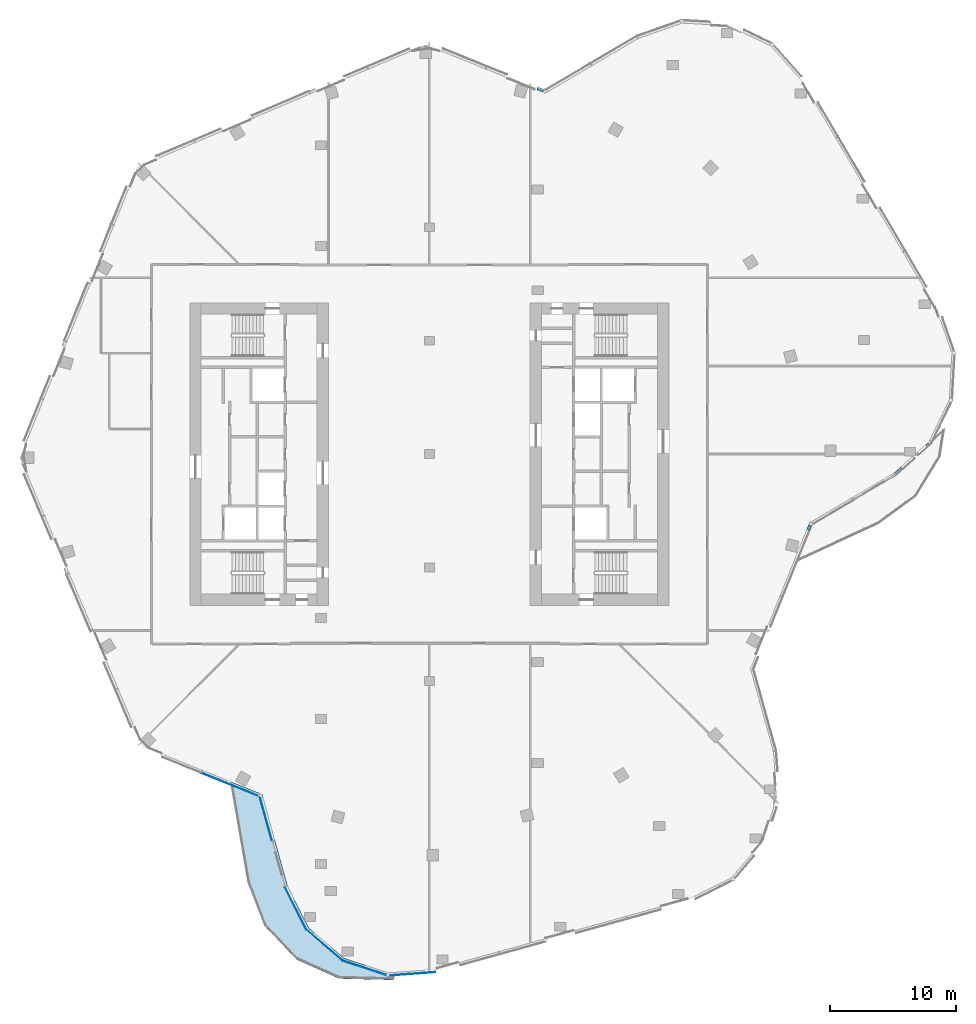
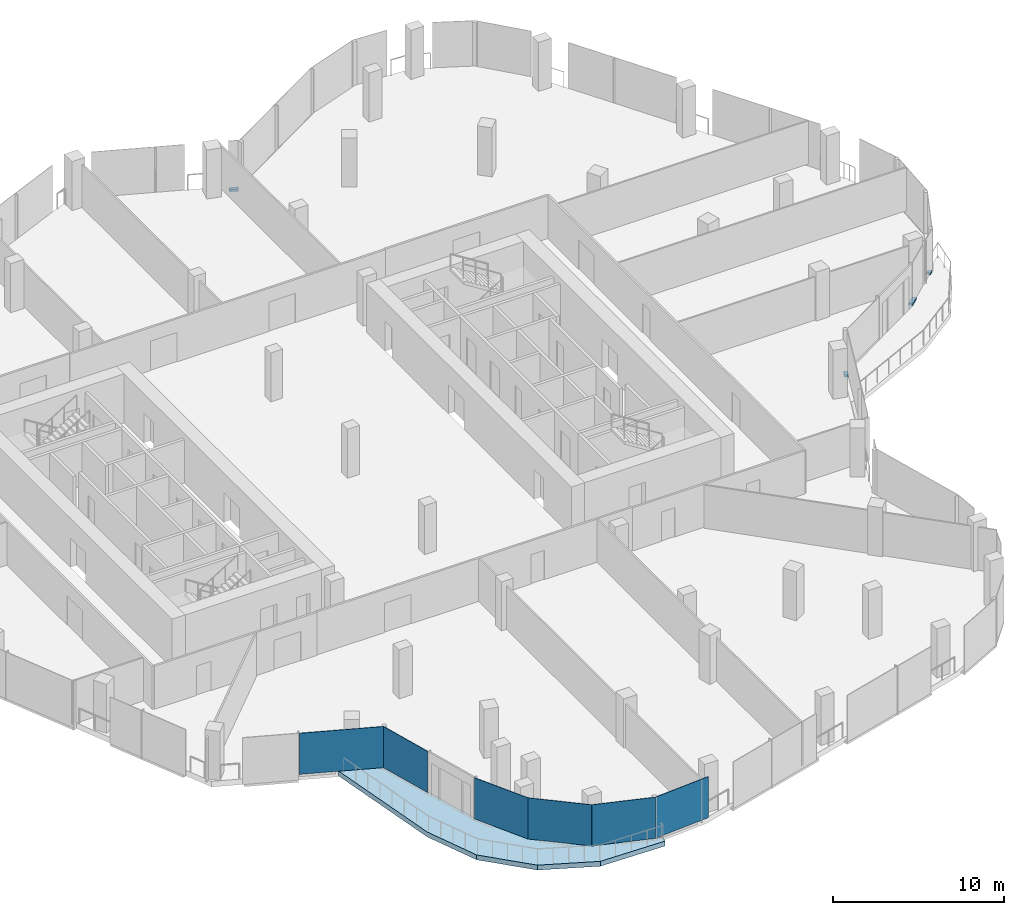
# One storey, part 11 of 26: 6 plates, 4 members, 1 slab, 9 elements without a shape of their own.
"""IFC4 building model written with IfcOpenShell, lengths in metres."""

from ifc_helpers import new_model, si_unit, direction, frame, origin, origin_2d, place, context, subcontext, project, spatial, polyline, rectangle, outline, extrude, material, layer, layer_set, material_profile, profile_set, type_object, element, aggregate, save


model = new_model("IFC4")

# Units and contexts
model_context = context("Model", 3, precision=1e-05, world=origin(), true_north=direction((0.0, 1.0)))
body_context = subcontext(model_context, "Body", "Model", "MODEL_VIEW")
ifc_project = project(units=[si_unit("LENGTHUNIT", "METRE"), si_unit("AREAUNIT", "SQUARE_METRE"), si_unit("VOLUMEUNIT", "CUBIC_METRE"), si_unit("PLANEANGLEUNIT", "RADIAN"), si_unit("MASSUNIT", "GRAM", prefix="KILO")], contexts=[model_context])

# Site, building, storey
site_placement = place(None, origin())
site = spatial("IfcSite", under=ifc_project, at=site_placement, CompositionType="ELEMENT")
building_placement = place(site_placement, origin())
building = spatial("IfcBuilding", under=site, at=building_placement, Name="Orlundy Tower", CompositionType="ELEMENT")
storey_placement = place(building_placement, frame((0.0, 0.0, 275.39990234375)))
storey = spatial("IfcBuildingStorey", under=building, at=storey_placement, Name="L73", CompositionType="ELEMENT", Elevation=275.39990234375)

# Curtain wall, member
ifc_material_1 = material(Name="Aluminium bronze anodised", Category="aluminium")
curtain_wall_type = type_object("IfcCurtainWallType", Name="CW6 wall", PredefinedType="NOTDEFINED", material=ifc_material_1)
curtain_wall_1_placement = place(storey_placement, origin())
curtain_wall_1 = element("IfcCurtainWall", 1, at=curtain_wall_1_placement, inside=storey, type_object=curtain_wall_type, Name="CW6 run 01", PredefinedType="NOTDEFINED")
ifc_material_2 = material(Name="Aluminium bronze anodised", Category="aluminium")
ifc_material_profile = material_profile(ifc_material_2, rectangle(XDim=0.239990234375, YDim=0.159912109375, at=origin_2d()), Name="CW6 transom 240x160")
ifc_profile_set = profile_set([ifc_material_profile], Name="Aluminium bronze anodised")
member_type = type_object("IfcMemberType", Name="CW6 transom 240x160", PredefinedType="USERDEFINED", material=ifc_profile_set)
member_1_placement = place(storey_placement, frame((30.205078125, -5.64404296875, 0.080078125), z_axis=(-0.374979656603, -0.927033039936, 0.0), x_axis=(0.927033039936, -0.374979656603, 0.0)))
member_1 = element("IfcMember", 2, at=member_1_placement, type_object=member_type, Name="CW6 transom", ObjectType="TRANSOM", PredefinedType="USERDEFINED", context=body_context, shape_type="SweptSolid", body=[
    extrude(rectangle(XDim=0.239990234375, YDim=0.159912109375, at=origin_2d()), origin(), (0.0, 0.0, 1.0), 0.3984375),
])
aggregate(curtain_wall_1, [member_1])

curtain_wall_2_placement = place(storey_placement, origin())
curtain_wall_2 = element("IfcCurtainWall", 3, at=curtain_wall_2_placement, inside=storey, type_object=curtain_wall_type, Name="CW6 run 017", PredefinedType="NOTDEFINED")
member_2_placement = place(storey_placement, frame((8.5576171875, 29.0283203125, -0.31982421875), z_axis=(0.927160236692, -0.374665044403, 0.0), x_axis=(0.374665044403, 0.927160236692, 0.0)))
member_2 = element("IfcMember", 4, at=member_2_placement, type_object=member_type, Name="CW6 transom", ObjectType="TRANSOM", PredefinedType="USERDEFINED", context=body_context, shape_type="SweptSolid", body=[
    extrude(rectangle(XDim=0.239990234375, YDim=0.159912109375, at=origin_2d()), origin(), (0.0, 0.0, 1.0), 0.53955078125),
])
aggregate(curtain_wall_2, [member_2])

# Curtain wall, members
curtain_wall_3_placement = place(storey_placement, origin())
curtain_wall_3 = element("IfcCurtainWall", 5, at=curtain_wall_3_placement, inside=storey, type_object=curtain_wall_type, Name="CW6 run 027", PredefinedType="NOTDEFINED")
member_3_placement = place(storey_placement, frame((39.63525390625, 0.8154296875, 0.080078125), z_axis=(-0.746233281143, -0.665684527471, 0.0), x_axis=(0.665684527471, -0.746233281143, 0.0)))
member_3 = element("IfcMember", 6, at=member_3_placement, type_object=member_type, Name="CW6 transom", ObjectType="TRANSOM", PredefinedType="USERDEFINED", context=body_context, shape_type="SweptSolid", body=[
    extrude(rectangle(XDim=0.239990234375, YDim=0.159912109375, at=origin_2d()), origin(), (0.0, 0.0, 1.0), 0.263671875),
])
member_4_placement = place(storey_placement, frame((37.47119140625, -1.115478515625, 0.080078125), z_axis=(-0.746229612146, -0.665688640399, 0.0), x_axis=(0.665688640399, -0.746229612146, 0.0)))
member_4 = element("IfcMember", 7, at=member_4_placement, type_object=member_type, Name="CW6 transom", ObjectType="TRANSOM", PredefinedType="USERDEFINED", context=body_context, shape_type="SweptSolid", body=[
    extrude(rectangle(XDim=0.239990234375, YDim=0.159912109375, at=origin_2d()), origin(), (0.0, 0.0, 1.0), 0.697265625),
])
aggregate(curtain_wall_3, [member_3, member_4])

# Curtain wall, plate
curtain_wall_4_placement = place(storey_placement, origin())
curtain_wall_4 = element("IfcCurtainWall", 8, at=curtain_wall_4_placement, inside=storey, type_object=curtain_wall_type, Name="CW6 run 08", PredefinedType="NOTDEFINED")
ifc_material_3 = material(Name="Tinted glass", Category="glass")
ifc_layer_1 = layer(ifc_material_3, 0.035888671875)
ifc_layer_set_1 = layer_set([ifc_layer_1], Name="CW6 glass panel 36")
plate_type = type_object("IfcPlateType", Name="CW6 glass panel 36", PredefinedType="CURTAIN_PANEL", material=ifc_layer_set_1)
plate_1_placement = place(storey_placement, frame((-1.417724609375, -41.229736328125, 0.16015625), z_axis=(0.0, 0.0, 1.0), x_axis=(-0.99724489086, -0.074179698392, 0.0)))
plate_1 = element("IfcPlate", 9, at=plate_1_placement, type_object=plate_type, Name="CW6 panel", PredefinedType="CURTAIN_PANEL", context=body_context, shape_type="SweptSolid", body=[
    extrude(rectangle(XDim=3.748046875, YDim=0.035888671875, at=origin_2d()), origin(), (0.0, 0.0, 1.0), 2.93994140625),
])
aggregate(curtain_wall_4, [plate_1])

curtain_wall_5_placement = place(storey_placement, origin())
curtain_wall_5 = element("IfcCurtainWall", 10, at=curtain_wall_5_placement, inside=storey, type_object=curtain_wall_type, Name="CW6 run 09", PredefinedType="NOTDEFINED")
plate_2_placement = place(storey_placement, frame((-5.088623046875, -40.7744140625, 0.16015625), z_axis=(0.0, 0.0, 1.0), x_axis=(-0.949676811134, 0.313231470951, 0.0)))
plate_2 = element("IfcPlate", 11, at=plate_2_placement, type_object=plate_type, Name="CW6 panel", PredefinedType="CURTAIN_PANEL", context=body_context, shape_type="SweptSolid", body=[
    extrude(rectangle(XDim=3.794921875, YDim=0.035888671875, at=origin_2d()), origin(), (0.0, 0.0, 1.0), 2.93994140625),
])
aggregate(curtain_wall_5, [plate_2])

curtain_wall_6_placement = place(storey_placement, origin())
curtain_wall_6 = element("IfcCurtainWall", 12, at=curtain_wall_6_placement, inside=storey, type_object=curtain_wall_type, Name="CW6 run 010", PredefinedType="NOTDEFINED")
plate_3_placement = place(storey_placement, frame((-8.327880859375, -38.941650390625, 0.16015625), z_axis=(0.0, 0.0, 1.0), x_axis=(-0.757635374241, 0.652678052104, 0.0)))
plate_3 = element("IfcPlate", 13, at=plate_3_placement, type_object=plate_type, Name="CW6 panel", PredefinedType="CURTAIN_PANEL", context=body_context, shape_type="SweptSolid", body=[
    extrude(rectangle(XDim=3.794677734375, YDim=0.035888671875, at=origin_2d()), origin(), (0.0, 0.0, 1.0), 2.93994140625),
])
aggregate(curtain_wall_6, [plate_3])

curtain_wall_7_placement = place(storey_placement, origin())
curtain_wall_7 = element("IfcCurtainWall", 14, at=curtain_wall_7_placement, inside=storey, type_object=curtain_wall_type, Name="CW6 run 011", PredefinedType="NOTDEFINED")
plate_4_placement = place(storey_placement, frame((-10.608642578125, -36.030029296875, 0.16015625), z_axis=(0.0, 0.0, 1.0), x_axis=(-0.450017257968, 0.893019858419, 0.0)))
plate_4 = element("IfcPlate", 15, at=plate_4_placement, type_object=plate_type, Name="CW6 panel", PredefinedType="CURTAIN_PANEL", context=body_context, shape_type="SweptSolid", body=[
    extrude(rectangle(XDim=3.74755859375, YDim=0.035888671875, at=origin_2d()), origin(), (0.0, 0.0, 1.0), 2.93994140625),
])
aggregate(curtain_wall_7, [plate_4])

curtain_wall_8_placement = place(storey_placement, origin())
curtain_wall_8 = element("IfcCurtainWall", 16, at=curtain_wall_8_placement, inside=storey, type_object=curtain_wall_type, Name="CW6 run 012", PredefinedType="NOTDEFINED")
plate_5_placement = place(storey_placement, frame((-12.96728515625, -28.90966796875, 0.16015625), z_axis=(0.0, 0.0, 1.0), x_axis=(-0.267226188967, 0.963633832911, 0.0)))
plate_5 = element("IfcPlate", 17, at=plate_5_placement, type_object=plate_type, Name="CW6 panel", PredefinedType="CURTAIN_PANEL", context=body_context, shape_type="SweptSolid", body=[
    extrude(rectangle(XDim=3.632080078125, YDim=0.035888671875, at=origin_2d()), origin(), (0.0, 0.0, 1.0), 2.93994140625),
])
aggregate(curtain_wall_8, [plate_5])

curtain_wall_9_placement = place(storey_placement, origin())
curtain_wall_9 = element("IfcCurtainWall", 18, at=curtain_wall_9_placement, inside=storey, type_object=curtain_wall_type, Name="CW6 run 013", PredefinedType="NOTDEFINED")
plate_6_placement = place(storey_placement, frame((-15.763427734375, -26.2265625, 0.16015625), z_axis=(0.0, 0.0, 1.0), x_axis=(-0.927218353808, 0.374521193474, 0.0)))
plate_6 = element("IfcPlate", 19, at=plate_6_placement, type_object=plate_type, Name="CW6 panel", PredefinedType="CURTAIN_PANEL", context=body_context, shape_type="SweptSolid", body=[
    extrude(rectangle(XDim=4.984130859375, YDim=0.035888671875, at=origin_2d()), origin(), (0.0, 0.0, 1.0), 2.93994140625),
])
aggregate(curtain_wall_9, [plate_6])

# Slab
ifc_material_4 = material(Name="Concrete C45/55", Category="concrete")
ifc_layer_2 = layer(ifc_material_4, 0.35009765625)
ifc_layer_set_2 = layer_set([ifc_layer_2], Name="TERRACE SLAB 350 C45/55")
slab_type = type_object("IfcSlabType", Name="TERRACE SLAB 350 C45/55", PredefinedType="ROOF", material=ifc_layer_set_2)
slab_placement = place(storey_placement, frame((0.0, 0.0, -0.349853515625)))
element("IfcSlab", 20, at=slab_placement, inside=storey, type_object=slab_type, Name="Terrace slab L73-2", PredefinedType="ROOF", context=body_context, shape_type="SweptSolid", body=[
    extrude(outline(polyline([(-15.7958984375, -25.972900390625), (-13.26806640625, -26.9951171875), (-11.2548828125, -34.25390625), (-9.5869140625, -37.56396484375), (-6.779052734375, -39.98291015625), (-2.7470703125, -41.31396484375), (-2.81689453125, -41.712890625), (-7.135009765625, -41.60693359375), (-10.52294921875, -40.10400390625), (-13.0791015625, -37.4189453125), (-14.412109375, -33.9599609375), (-15.7958984375, -25.972900390625)])), origin(), (0.0, 0.0, 1.0), 0.349853515625),
])

save(model, "model.ifc")
